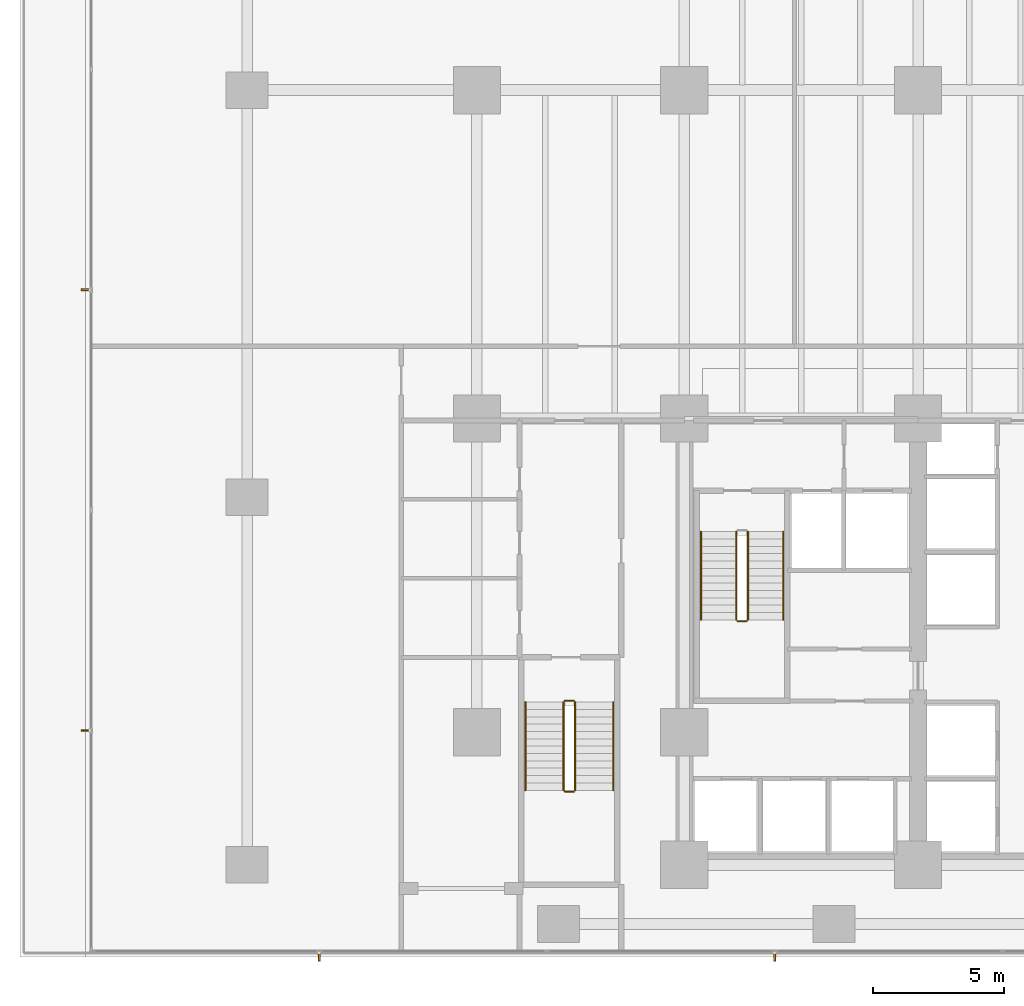
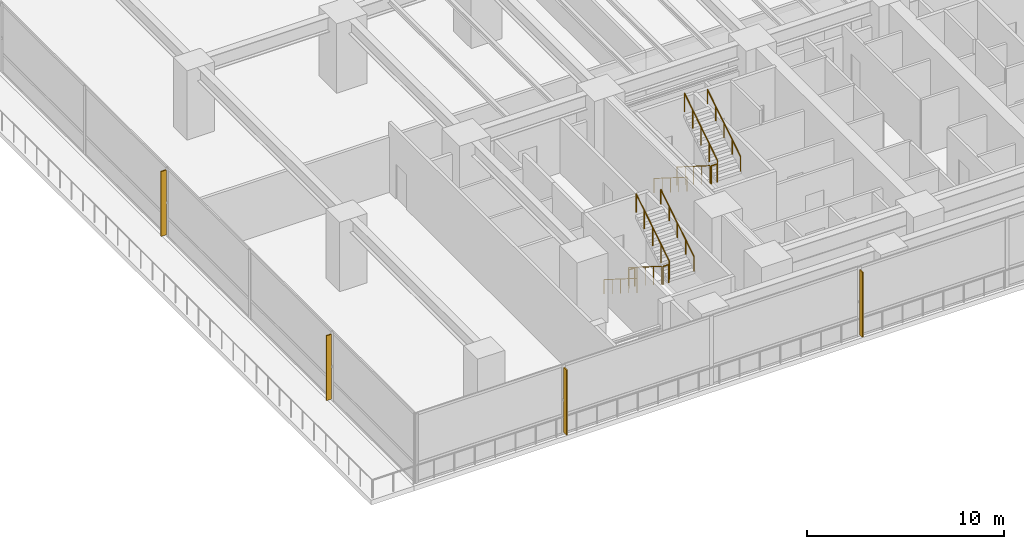
# One storey, part 18 of 27: 11 railings, 4 shading devices.
"""IFC4 building model written with IfcOpenShell, lengths in metres."""

from ifc_helpers import new_model, si_unit, direction, frame, origin, origin_2d, place, context, subcontext, project, spatial, polyline, circle, outline, extrude, material, layer, layer_set, type_object, element, save


model = new_model("IFC4")

# Units and contexts
model_context = context("Model", 3, precision=1e-05, world=origin(), true_north=direction((0.0, 1.0)))
body_context = subcontext(model_context, "Body", "Model", "MODEL_VIEW")
ifc_project = project(units=[si_unit("LENGTHUNIT", "METRE"), si_unit("AREAUNIT", "SQUARE_METRE"), si_unit("VOLUMEUNIT", "CUBIC_METRE"), si_unit("PLANEANGLEUNIT", "RADIAN"), si_unit("MASSUNIT", "GRAM", prefix="KILO")], contexts=[model_context])

# Site, building, storey
site_placement = place(None, origin())
site = spatial("IfcSite", under=ifc_project, at=site_placement, CompositionType="ELEMENT")
building_placement = place(site_placement, origin())
building = spatial("IfcBuilding", under=site, at=building_placement, Name="Qalmaran Belvedere Hotel", CompositionType="ELEMENT")
storey_placement = place(building_placement, frame((0.0, 0.0, 5.39990234375)))
storey = spatial("IfcBuildingStorey", under=building, at=storey_placement, Name="L01", CompositionType="ELEMENT", Elevation=5.39990234375)

# Shading devices
ifc_material_1 = material(Name="Anodised Bronze Aluminium", Category="aluminium")
ifc_layer = layer(ifc_material_1, 0.06494140625, Name="Anodised Bronze Aluminium")
ifc_layer_set = layer_set([ifc_layer], Name="Anodised Bronze Aluminium")
shading_device_type = type_object("IfcShadingDeviceType", Name="FIN-BRNZ-300", PredefinedType="USERDEFINED", material=ifc_layer_set)
shading_device_1_placement = place(storey_placement, frame((0.0, 0.0, 0.16015625)))
element("IfcShadingDevice", 1, at=shading_device_1_placement, inside=storey, type_object=shading_device_type, Name="L01 Bronze Fin 1", ObjectType="FIN", PredefinedType="USERDEFINED", context=body_context, shape_type="SweptSolid", body=[
    extrude(outline(polyline([(6.36083984375, 0.12744140625), (6.36083984375, -0.172607421875), (6.42578125, -0.172607421875), (6.42578125, 0.12744140625), (6.36083984375, 0.12744140625)])), origin(), (0.0, 0.0, 1.0), 4.02001953125),
])
shading_device_2_placement = place(storey_placement, frame((0.0, 0.0, 0.16015625)))
element("IfcShadingDevice", 2, at=shading_device_2_placement, inside=storey, type_object=shading_device_type, Name="L01 Bronze Fin 3", ObjectType="FIN", PredefinedType="USERDEFINED", context=body_context, shape_type="SweptSolid", body=[
    extrude(outline(polyline([(23.70751953125, 0.12744140625), (23.70751953125, -0.172607421875), (23.7724609375, -0.172607421875), (23.7724609375, 0.12744140625), (23.70751953125, 0.12744140625)])), origin(), (0.0, 0.0, 1.0), 4.02001953125),
])
shading_device_3_placement = place(storey_placement, frame((0.0, 0.0, 0.16015625)))
element("IfcShadingDevice", 3, at=shading_device_3_placement, inside=storey, type_object=shading_device_type, Name="L01 Bronze Fin 3", ObjectType="FIN", PredefinedType="USERDEFINED", context=body_context, shape_type="SweptSolid", body=[
    extrude(outline(polyline([(-2.37255859375, 25.4326171875), (-2.672607421875, 25.4326171875), (-2.672607421875, 25.367431640625), (-2.37255859375, 25.367431640625), (-2.37255859375, 25.4326171875)])), origin(), (0.0, 0.0, 1.0), 4.02001953125),
])
shading_device_4_placement = place(storey_placement, frame((0.0, 0.0, 0.16015625)))
element("IfcShadingDevice", 4, at=shading_device_4_placement, inside=storey, type_object=shading_device_type, Name="L01 Bronze Fin 5", ObjectType="FIN", PredefinedType="USERDEFINED", context=body_context, shape_type="SweptSolid", body=[
    extrude(outline(polyline([(-2.37255859375, 8.645751953125), (-2.672607421875, 8.645751953125), (-2.672607421875, 8.580810546875), (-2.37255859375, 8.580810546875), (-2.37255859375, 8.645751953125)])), origin(), (0.0, 0.0, 1.0), 4.02001953125),
])

# Railings
ifc_material_2 = material(Name="Stainless Steel 1.4401", Category="steel")
railing_type_1 = type_object("IfcRailingType", Name="RLG-STAIR-GUARD-1150", PredefinedType="GUARDRAIL", material=ifc_material_2)
railing_1_placement = place(storey_placement, frame((22.280029296875, 16.18994140625, 0.177001953125)))
element("IfcRailing", 5, at=railing_1_placement, inside=storey, type_object=railing_type_1, Name="L01 ST-1 stair guard 1", PredefinedType="GUARDRAIL", context=body_context, shape_type="SweptSolid", body=[
    extrude(circle(Radius=0.02392578125, at=origin_2d()), frame((0.0, 0.0, 1.1259765625), z_axis=(0.0, -0.845372108799, 0.534177870812), x_axis=(1.0, 0.0, 0.0)), (0.0, 0.0, 1.0), 3.974365234375),
    extrude(circle(Radius=0.02099609375, at=origin_2d()), origin(), (0.0, 0.0, 1.0), 1.101806640625),
    extrude(circle(Radius=0.02099609375, at=origin_2d()), frame((0.0, -0.83984375, 0.53076171875)), (0.0, 0.0, 1.0), 1.101806640625),
    extrude(circle(Radius=0.02099609375, at=origin_2d()), frame((0.0, -1.679931640625, 1.0615234375)), (0.0, 0.0, 1.0), 1.101806640625),
    extrude(circle(Radius=0.02099609375, at=origin_2d()), frame((0.0, -2.52001953125, 1.59228515625)), (0.0, 0.0, 1.0), 1.101806640625),
    extrude(circle(Radius=0.02099609375, at=origin_2d()), frame((0.0, -3.35986328125, 2.123046875)), (0.0, 0.0, 1.0), 1.101806640625),
])
railing_2_placement = place(storey_placement, frame((22.330078125, 12.780029296875, 2.300048828125)))
element("IfcRailing", 6, at=railing_2_placement, inside=storey, type_object=railing_type_1, Name="L01 ST-1 stair guard 2", PredefinedType="GUARDRAIL", context=body_context, shape_type="SweptSolid", body=[
    extrude(circle(Radius=0.02392578125, at=origin_2d()), frame((0.0, 0.0, 1.1259765625), z_axis=(1.0, 0.0, 0.0), x_axis=(0.0, 1.0, 0.0)), (0.0, 0.0, 1.0), 0.33984375),
    extrude(circle(Radius=0.02099609375, at=origin_2d()), origin(), (0.0, 0.0, 1.0), 1.101806640625),
    extrude(circle(Radius=0.02099609375, at=origin_2d()), frame((0.33984375, 0.0, 0.0)), (0.0, 0.0, 1.0), 1.101806640625),
])
railing_3_placement = place(storey_placement, frame((22.719970703125, 12.830078125, 2.47705078125)))
element("IfcRailing", 7, at=railing_3_placement, inside=storey, type_object=railing_type_1, Name="L01 ST-1 stair guard 3", PredefinedType="GUARDRAIL", context=body_context, shape_type="SweptSolid", body=[
    extrude(circle(Radius=0.02392578125, at=origin_2d()), frame((0.0, 0.0, 1.1259765625), z_axis=(0.0, 0.845372108799, 0.534177870812), x_axis=(-1.0, 0.0, 0.0)), (0.0, 0.0, 1.0), 3.974365234375),
    extrude(circle(Radius=0.02099609375, at=origin_2d()), origin(), (0.0, 0.0, 1.0), 1.101806640625),
    extrude(circle(Radius=0.02099609375, at=origin_2d()), frame((0.0, 0.83984375, 0.53076171875)), (0.0, 0.0, 1.0), 1.101806640625),
    extrude(circle(Radius=0.02099609375, at=origin_2d()), frame((0.0, 1.679931640625, 1.0615234375)), (0.0, 0.0, 1.0), 1.101806640625),
    extrude(circle(Radius=0.02099609375, at=origin_2d()), frame((0.0, 2.52001953125, 1.59228515625)), (0.0, 0.0, 1.0), 1.101806640625),
    extrude(circle(Radius=0.02099609375, at=origin_2d()), frame((0.0, 3.35986328125, 2.123046875)), (0.0, 0.0, 1.0), 1.101806640625),
])
railing_4_placement = place(storey_placement, frame((15.699951171875, 9.699951171875, 0.177001953125)))
element("IfcRailing", 8, at=railing_4_placement, inside=storey, type_object=railing_type_1, Name="L01 ST-P1 stair guard 1", PredefinedType="GUARDRAIL", context=body_context, shape_type="SweptSolid", body=[
    extrude(circle(Radius=0.02392578125, at=origin_2d()), frame((0.0, 0.0, 1.1259765625), z_axis=(0.0, -0.845372108799, 0.534177870812), x_axis=(1.0, 0.0, 0.0)), (0.0, 0.0, 1.0), 3.974365234375),
    extrude(circle(Radius=0.02099609375, at=origin_2d()), origin(), (0.0, 0.0, 1.0), 1.101806640625),
    extrude(circle(Radius=0.02099609375, at=origin_2d()), frame((0.0, -0.83984375, 0.53076171875)), (0.0, 0.0, 1.0), 1.101806640625),
    extrude(circle(Radius=0.02099609375, at=origin_2d()), frame((0.0, -1.679931640625, 1.0615234375)), (0.0, 0.0, 1.0), 1.101806640625),
    extrude(circle(Radius=0.02099609375, at=origin_2d()), frame((0.0, -2.52001953125, 1.59228515625)), (0.0, 0.0, 1.0), 1.101806640625),
    extrude(circle(Radius=0.02099609375, at=origin_2d()), frame((0.0, -3.35986328125, 2.123046875)), (0.0, 0.0, 1.0), 1.101806640625),
])
railing_5_placement = place(storey_placement, frame((15.75, 6.2900390625, 2.300048828125)))
element("IfcRailing", 9, at=railing_5_placement, inside=storey, type_object=railing_type_1, Name="L01 ST-P1 stair guard 2", PredefinedType="GUARDRAIL", context=body_context, shape_type="SweptSolid", body=[
    extrude(circle(Radius=0.02392578125, at=origin_2d()), frame((0.0, 0.0, 1.1259765625), z_axis=(1.0, 0.0, 0.0), x_axis=(0.0, 1.0, 0.0)), (0.0, 0.0, 1.0), 0.340087890625),
    extrude(circle(Radius=0.02099609375, at=origin_2d()), origin(), (0.0, 0.0, 1.0), 1.101806640625),
    extrude(circle(Radius=0.02099609375, at=origin_2d()), frame((0.340087890625, 0.0, 0.0)), (0.0, 0.0, 1.0), 1.101806640625),
])
railing_6_placement = place(storey_placement, frame((16.139892578125, 6.340087890625, 2.47705078125)))
element("IfcRailing", 10, at=railing_6_placement, inside=storey, type_object=railing_type_1, Name="L01 ST-P1 stair guard 3", PredefinedType="GUARDRAIL", context=body_context, shape_type="SweptSolid", body=[
    extrude(circle(Radius=0.02392578125, at=origin_2d()), frame((0.0, 0.0, 1.1259765625), z_axis=(0.0, 0.845372108799, 0.534177870812), x_axis=(-1.0, 0.0, 0.0)), (0.0, 0.0, 1.0), 3.974365234375),
    extrude(circle(Radius=0.02099609375, at=origin_2d()), origin(), (0.0, 0.0, 1.0), 1.101806640625),
    extrude(circle(Radius=0.02099609375, at=origin_2d()), frame((0.0, 0.83984375, 0.53076171875)), (0.0, 0.0, 1.0), 1.101806640625),
    extrude(circle(Radius=0.02099609375, at=origin_2d()), frame((0.0, 1.679931640625, 1.0615234375)), (0.0, 0.0, 1.0), 1.101806640625),
    extrude(circle(Radius=0.02099609375, at=origin_2d()), frame((0.0, 2.52001953125, 1.59228515625)), (0.0, 0.0, 1.0), 1.101806640625),
    extrude(circle(Radius=0.02099609375, at=origin_2d()), frame((0.0, 3.35986328125, 2.123046875)), (0.0, 0.0, 1.0), 1.101806640625),
])
railing_7_placement = place(storey_placement, frame((15.75, 9.75, 0.0)))
element("IfcRailing", 11, at=railing_7_placement, inside=storey, type_object=railing_type_1, Name="L01 ST-P1 stair guard 4", PredefinedType="GUARDRAIL", context=body_context, shape_type="SweptSolid", body=[
    extrude(circle(Radius=0.02392578125, at=origin_2d()), frame((0.0, 0.0, 1.1259765625), z_axis=(1.0, 0.0, 0.0), x_axis=(0.0, 1.0, 0.0)), (0.0, 0.0, 1.0), 0.340087890625),
    extrude(circle(Radius=0.02099609375, at=origin_2d()), origin(), (0.0, 0.0, 1.0), 1.101806640625),
    extrude(circle(Radius=0.02099609375, at=origin_2d()), frame((0.340087890625, 0.0, 0.0)), (0.0, 0.0, 1.0), 1.101806640625),
])
railing_type_2 = type_object("IfcRailingType", Name="RLG-STAIR-HAND-910", PredefinedType="HANDRAIL", material=ifc_material_2)
railing_8_placement = place(storey_placement, frame((20.929931640625, 16.18994140625, 0.177001953125)))
element("IfcRailing", 12, at=railing_8_placement, inside=storey, type_object=railing_type_2, Name="L01 ST-1 stair handrail 1", PredefinedType="HANDRAIL", context=body_context, shape_type="SweptSolid", body=[
    extrude(circle(Radius=0.02392578125, at=origin_2d()), frame((0.0, 0.0, 0.8857421875), z_axis=(0.0, -0.845372108799, 0.534177870812), x_axis=(1.0, 0.0, 0.0)), (0.0, 0.0, 1.0), 3.974365234375),
    extrude(circle(Radius=0.02099609375, at=origin_2d()), origin(), (0.0, 0.0, 1.0), 0.86181640625),
    extrude(circle(Radius=0.02099609375, at=origin_2d()), frame((0.0, -0.83984375, 0.53076171875)), (0.0, 0.0, 1.0), 0.86181640625),
    extrude(circle(Radius=0.02099609375, at=origin_2d()), frame((0.0, -1.679931640625, 1.0615234375)), (0.0, 0.0, 1.0), 0.86181640625),
    extrude(circle(Radius=0.02099609375, at=origin_2d()), frame((0.0, -2.52001953125, 1.59228515625)), (0.0, 0.0, 1.0), 0.86181640625),
    extrude(circle(Radius=0.02099609375, at=origin_2d()), frame((0.0, -3.35986328125, 2.123046875)), (0.0, 0.0, 1.0), 0.86181640625),
])
railing_9_placement = place(storey_placement, frame((24.070068359375, 12.830078125, 2.47705078125)))
element("IfcRailing", 13, at=railing_9_placement, inside=storey, type_object=railing_type_2, Name="L01 ST-1 stair handrail 2", PredefinedType="HANDRAIL", context=body_context, shape_type="SweptSolid", body=[
    extrude(circle(Radius=0.02392578125, at=origin_2d()), frame((0.0, 0.0, 0.8857421875), z_axis=(0.0, 0.845372108799, 0.534177870812), x_axis=(-1.0, 0.0, 0.0)), (0.0, 0.0, 1.0), 3.974365234375),
    extrude(circle(Radius=0.02099609375, at=origin_2d()), origin(), (0.0, 0.0, 1.0), 0.86181640625),
    extrude(circle(Radius=0.02099609375, at=origin_2d()), frame((0.0, 0.83984375, 0.53076171875)), (0.0, 0.0, 1.0), 0.86181640625),
    extrude(circle(Radius=0.02099609375, at=origin_2d()), frame((0.0, 1.679931640625, 1.0615234375)), (0.0, 0.0, 1.0), 0.86181640625),
    extrude(circle(Radius=0.02099609375, at=origin_2d()), frame((0.0, 2.52001953125, 1.59228515625)), (0.0, 0.0, 1.0), 0.86181640625),
    extrude(circle(Radius=0.02099609375, at=origin_2d()), frame((0.0, 3.35986328125, 2.123046875)), (0.0, 0.0, 1.0), 0.86181640625),
])
railing_10_placement = place(storey_placement, frame((14.25, 9.699951171875, 0.177001953125)))
element("IfcRailing", 14, at=railing_10_placement, inside=storey, type_object=railing_type_2, Name="L01 ST-P1 stair handrail 1", PredefinedType="HANDRAIL", context=body_context, shape_type="SweptSolid", body=[
    extrude(circle(Radius=0.02392578125, at=origin_2d()), frame((0.0, 0.0, 0.8857421875), z_axis=(0.0, -0.845372108799, 0.534177870812), x_axis=(1.0, 0.0, 0.0)), (0.0, 0.0, 1.0), 3.974365234375),
    extrude(circle(Radius=0.02099609375, at=origin_2d()), origin(), (0.0, 0.0, 1.0), 0.86181640625),
    extrude(circle(Radius=0.02099609375, at=origin_2d()), frame((0.0, -0.83984375, 0.53076171875)), (0.0, 0.0, 1.0), 0.86181640625),
    extrude(circle(Radius=0.02099609375, at=origin_2d()), frame((0.0, -1.679931640625, 1.0615234375)), (0.0, 0.0, 1.0), 0.86181640625),
    extrude(circle(Radius=0.02099609375, at=origin_2d()), frame((0.0, -2.52001953125, 1.59228515625)), (0.0, 0.0, 1.0), 0.86181640625),
    extrude(circle(Radius=0.02099609375, at=origin_2d()), frame((0.0, -3.35986328125, 2.123046875)), (0.0, 0.0, 1.0), 0.86181640625),
])
railing_11_placement = place(storey_placement, frame((17.590087890625, 6.340087890625, 2.47705078125)))
element("IfcRailing", 15, at=railing_11_placement, inside=storey, type_object=railing_type_2, Name="L01 ST-P1 stair handrail 2", PredefinedType="HANDRAIL", context=body_context, shape_type="SweptSolid", body=[
    extrude(circle(Radius=0.02392578125, at=origin_2d()), frame((0.0, 0.0, 0.8857421875), z_axis=(0.0, 0.845372108799, 0.534177870812), x_axis=(-1.0, 0.0, 0.0)), (0.0, 0.0, 1.0), 3.974365234375),
    extrude(circle(Radius=0.02099609375, at=origin_2d()), origin(), (0.0, 0.0, 1.0), 0.86181640625),
    extrude(circle(Radius=0.02099609375, at=origin_2d()), frame((0.0, 0.83984375, 0.53076171875)), (0.0, 0.0, 1.0), 0.86181640625),
    extrude(circle(Radius=0.02099609375, at=origin_2d()), frame((0.0, 1.679931640625, 1.0615234375)), (0.0, 0.0, 1.0), 0.86181640625),
    extrude(circle(Radius=0.02099609375, at=origin_2d()), frame((0.0, 2.52001953125, 1.59228515625)), (0.0, 0.0, 1.0), 0.86181640625),
    extrude(circle(Radius=0.02099609375, at=origin_2d()), frame((0.0, 3.35986328125, 2.123046875)), (0.0, 0.0, 1.0), 0.86181640625),
])

save(model, "model.ifc")
